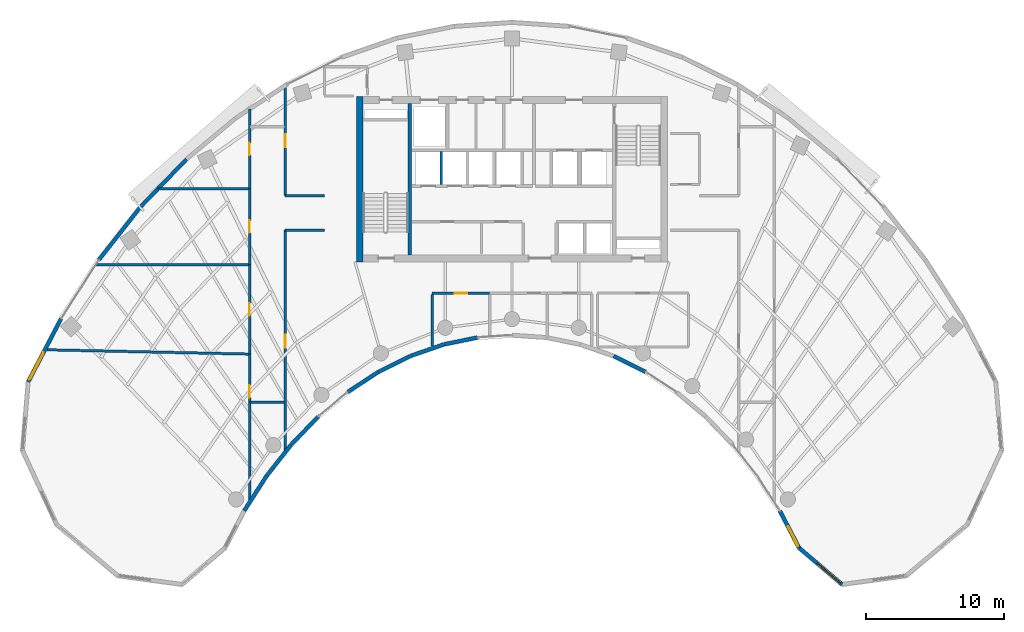
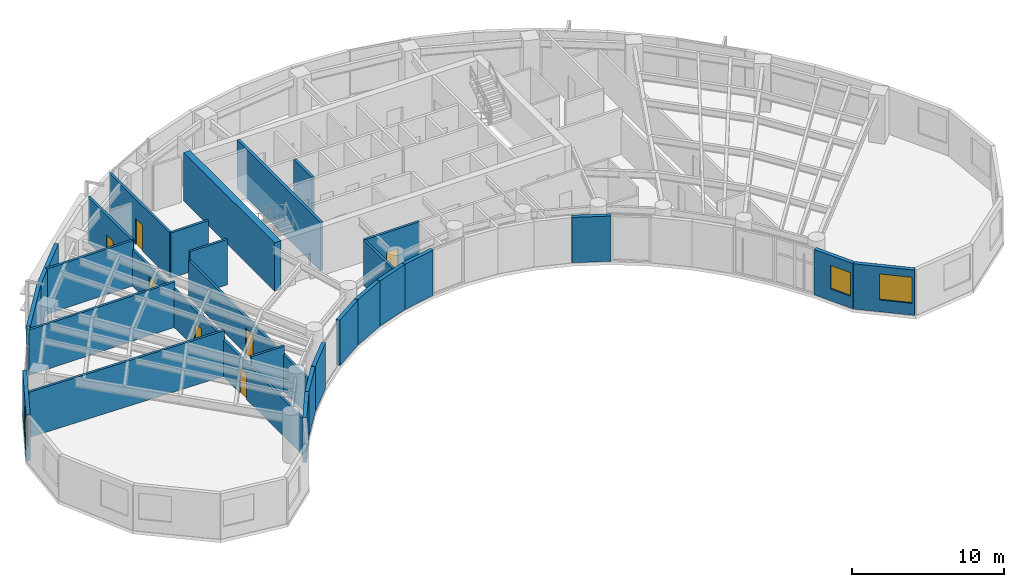
# One storey, part 7 of 13: 30 walls, 7 doors, 3 windows, 10 openings.
"""IFC4 building model written with IfcOpenShell, lengths in metres."""

from ifc_helpers import new_model, si_unit, direction, frame, frame_2d, origin, place, context, subcontext, project, spatial, rectangle, extrude, source, transform, mapped, material, layer, layer_set, type_object, type_shapes, element, fill, save


model = new_model("IFC4")

# Units and contexts
model_context = context("Model", 3, precision=1e-05, world=origin(), true_north=direction((0.0, 1.0)))
body_context = subcontext(model_context, "Body", "Model", "MODEL_VIEW")
ifc_project = project(units=[si_unit("LENGTHUNIT", "METRE"), si_unit("AREAUNIT", "SQUARE_METRE"), si_unit("VOLUMEUNIT", "CUBIC_METRE"), si_unit("PLANEANGLEUNIT", "RADIAN"), si_unit("MASSUNIT", "GRAM", prefix="KILO")], contexts=[model_context])

# Site, building, storey
site_placement = place(None, origin())
site = spatial("IfcSite", under=ifc_project, at=site_placement, CompositionType="ELEMENT")
building_placement = place(site_placement, origin())
building = spatial("IfcBuilding", under=site, at=building_placement, Name="Breltana Convention Tower", CompositionType="ELEMENT")
storey_placement = place(building_placement, frame((0.0, 0.0, 174.0)))
storey = spatial("IfcBuildingStorey", under=building, at=storey_placement, Name="L42", CompositionType="ELEMENT", Elevation=174.0)

# Walls
ifc_material_1 = material(Name="Concrete C60/75", Category="concrete")
ifc_layer_1 = layer(ifc_material_1, 0.5, Name="Concrete C60/75")
ifc_layer_set_1 = layer_set([ifc_layer_1], Name="Concrete C60/75")
wall_type_1 = type_object("IfcWallType", Name="SW-CORE-500", PredefinedType="SHEAR", material=ifc_layer_set_1)
shared_shape_1 = source(origin(), body_context, "Body", "SweptSolid", [
    extrude(rectangle(XDim=12.0, YDim=0.5, at=frame_2d((6.0, 0.0))), origin(), (0.0, 0.0, 1.0), 3.89990234375),
])
wall_1_placement = place(storey_placement, frame((36.949951171875, 60.199951171875, 0.0), z_axis=(0.0, 0.0, 1.0), x_axis=(0.0, 1.0, 0.0)))
element("IfcWall", 1, at=wall_1_placement, inside=storey, type_object=wall_type_1, Name="L42 West Core Shear Wall", PredefinedType="SHEAR", context=body_context, shape_type="MappedRepresentation", body=[
    mapped(shared_shape_1, transform((0.0, 0.0, 0.0), scale=1.0)),
])
ifc_material_2 = material(Name="Concrete C50/60", Category="concrete")
ifc_layer_2 = layer(ifc_material_2, 0.39990234375, Name="Concrete C50/60")
ifc_layer_set_2 = layer_set([ifc_layer_2], Name="Concrete C50/60")
wall_type_2 = type_object("IfcWallType", Name="SW-CORE-400", PredefinedType="SHEAR", material=ifc_layer_set_2)
shared_shape_2 = source(origin(), body_context, "Body", "SweptSolid", [
    extrude(rectangle(XDim=11.0, YDim=0.219970703125, at=frame_2d((5.5, 0.0))), origin(), (0.0, 0.0, 1.0), 3.89990234375),
])
wall_2_placement = place(storey_placement, frame((40.580078125, 60.699951171875, 0.0), z_axis=(0.0, 0.0, 1.0), x_axis=(0.0, 1.0, 0.0)))
element("IfcWall", 2, at=wall_2_placement, inside=storey, type_object=wall_type_2, Name="L42 Core West Stair Spine Wall", PredefinedType="SHEAR", context=body_context, shape_type="MappedRepresentation", body=[
    mapped(shared_shape_2, transform((0.0, 0.0, 0.0), scale=1.0)),
])

# Wall, opening, window
ifc_material_3 = material(Name="Limestone Buff Insulated Wall", Category="masonry")
ifc_layer_3 = layer(ifc_material_3, 0.280029296875, Name="Limestone Buff Insulated Wall")
ifc_layer_set_3 = layer_set([ifc_layer_3], Name="Limestone Buff Insulated Wall")
wall_type_3 = type_object("IfcWallType", Name="WL-EXT-NOSE-280", PredefinedType="SOLIDWALL", material=ifc_layer_set_3)
shared_shape_3 = source(origin(), body_context, "Body", "SweptSolid", [
    extrude(rectangle(XDim=4.095947265625, YDim=0.280029296875, at=frame_2d((2.0478515625, 0.0))), origin(), (0.0, 0.0, 1.0), 3.64990234375),
])
wall_3_placement = place(storey_placement, frame((71.95654296875, 36.78759765625, 0.0), z_axis=(0.0, 0.0, 1.0), x_axis=(-0.761926081737, 0.647663991564, 0.0)))
wall_3 = element("IfcWall", 3, at=wall_3_placement, inside=storey, type_object=wall_type_3, Name="L42 curved limestone nose wall E5", PredefinedType="SOLIDWALL", context=body_context, shape_type="MappedRepresentation", body=[
    mapped(shared_shape_3, transform((0.0, 0.0, 0.0), scale=1.0)),
])
opening_1_placement = place(wall_3_placement, frame((0.159912109375, 0.0, 0.949951171875)))
opening_1 = element("IfcOpeningElement", 4, at=opening_1_placement, cuts=wall_3, Name="Opening W-03", PredefinedType="OPENING", context=body_context, shape_type="SweptSolid", body=[
    extrude(rectangle(XDim=2.199951171875, YDim=2.10009765625, at=frame_2d((1.10009765625, 1.050048828125))), frame((0.0, 0.14990234375, 0.0), z_axis=(0.0, -1.0, 0.0), x_axis=(1.0, 0.0, 0.0)), (0.0, 0.0, 1.0), 0.300048828125),
])
ifc_material_4 = material(Name="Glass Low-E Insulated Window", Category="glass")
window_type_1 = type_object("IfcWindowType", Name="WN-NOSE-2200X2100", PartitioningType="TRIPLE_PANEL_VERTICAL", PredefinedType="WINDOW", material=ifc_material_4)
shared_shape_4 = source(origin(), body_context, "Body", "SweptSolid", [
    extrude(rectangle(XDim=2.199951171875, YDim=2.10009765625, at=frame_2d((1.10009765625, 1.050048828125))), frame((0.0, 0.030029296875, 0.0), z_axis=(0.0, -1.0, 0.0), x_axis=(1.0, 0.0, 0.0)), (0.0, 0.0, 1.0), 0.06005859375),
])
type_shapes(window_type_1, [shared_shape_4])
window_1_placement = place(opening_1_placement, origin())
window_1 = element("IfcWindow", 5, at=window_1_placement, inside=storey, type_object=window_type_1, Name="L42 nose window E5", OverallHeight=2.10009765625, OverallWidth=2.199951171875, PartitioningType="TRIPLE_PANEL_VERTICAL", PredefinedType="WINDOW", context=body_context, shape_type="MappedRepresentation", body=[
    mapped(shared_shape_4, transform((0.0, 0.0, 0.0), scale=1.0)),
])
fill(opening_1, window_1)

shared_shape_5 = source(origin(), body_context, "Body", "SweptSolid", [
    extrude(rectangle(XDim=3.02392578125, YDim=0.280029296875, at=frame_2d((1.511962890625, 0.0))), origin(), (0.0, 0.0, 1.0), 3.64990234375),
])
wall_4_placement = place(storey_placement, frame((68.835693359375, 39.4404296875, 0.0), z_axis=(0.0, 0.0, 1.0), x_axis=(-0.461718746531, 0.887026380161, 0.0)))
wall_4 = element("IfcWall", 6, at=wall_4_placement, inside=storey, type_object=wall_type_3, Name="L42 curved limestone nose wall E6", PredefinedType="SOLIDWALL", context=body_context, shape_type="MappedRepresentation", body=[
    mapped(shared_shape_5, transform((0.0, 0.0, 0.0), scale=1.0)),
])
opening_2_placement = place(wall_4_placement, frame((0.159912109375, 0.0, 0.949951171875)))
opening_2 = element("IfcOpeningElement", 7, at=opening_2_placement, cuts=wall_4, Name="Opening W-04", PredefinedType="OPENING", context=body_context, shape_type="SweptSolid", body=[
    extrude(rectangle(XDim=1.60009765625, YDim=1.89990234375, at=frame_2d((0.800048828125, 0.949951171875))), frame((0.0, 0.14990234375, 0.0), z_axis=(0.0, -1.0, 0.0), x_axis=(1.0, 0.0, 0.0)), (0.0, 0.0, 1.0), 0.300048828125),
])
window_type_2 = type_object("IfcWindowType", Name="WN-NOSE-1600X1900", PartitioningType="SINGLE_PANEL", PredefinedType="WINDOW", material=ifc_material_4)
shared_shape_6 = source(origin(), body_context, "Body", "SweptSolid", [
    extrude(rectangle(XDim=1.60009765625, YDim=1.89990234375, at=frame_2d((0.800048828125, 0.949951171875))), frame((0.0, 0.030029296875, 0.0), z_axis=(0.0, -1.0, 0.0), x_axis=(1.0, 0.0, 0.0)), (0.0, 0.0, 1.0), 0.06005859375),
])
type_shapes(window_type_2, [shared_shape_6])
window_2_placement = place(opening_2_placement, origin())
window_2 = element("IfcWindow", 8, at=window_2_placement, inside=storey, type_object=window_type_2, Name="L42 nose window E6", OverallHeight=1.89990234375, OverallWidth=1.60009765625, PartitioningType="SINGLE_PANEL", PredefinedType="WINDOW", context=body_context, shape_type="MappedRepresentation", body=[
    mapped(shared_shape_6, transform((0.0, 0.0, 0.0), scale=1.0)),
])
fill(opening_2, window_2)

# Walls
shared_shape_7 = source(origin(), body_context, "Body", "SweptSolid", [
    extrude(rectangle(XDim=2.812255859375, YDim=0.280029296875, at=frame_2d((1.40625, 0.0))), origin(), (0.0, 0.0, 1.0), 3.64990234375),
])
wall_5_placement = place(storey_placement, frame((33.945068359375, 48.973388671875, 0.0), z_axis=(0.0, 0.0, 1.0), x_axis=(-0.694583668785, -0.719411931411, 0.0)))
element("IfcWall", 9, at=wall_5_placement, inside=storey, type_object=wall_type_3, Name="L42 curved limestone nose wall E17", PredefinedType="SOLIDWALL", context=body_context, shape_type="MappedRepresentation", body=[
    mapped(shared_shape_7, transform((0.0, 0.0, 0.0), scale=1.0)),
])
shared_shape_8 = source(origin(), body_context, "Body", "SweptSolid", [
    extrude(rectangle(XDim=2.58447265625, YDim=0.280029296875, at=frame_2d((1.292236328125, 0.0))), origin(), (0.0, 0.0, 1.0), 3.64990234375),
])
for number, where, z_axis, x_axis, name in (
    (10, (57.692138671875, 52.21337890625, 0.0), (0.0, 0.0, 1.0), (-0.895989792847, 0.44407464588, 0.0), "L42 curved limestone nose wall E9"),
    (11, (40.62353515625, 53.361083984375, 0.0), (0.0, 0.0, 1.0), (-0.895989792847, -0.44407464588, 0.0), "L42 curved limestone nose wall E15"),
):
    element("IfcWall", number, at=place(storey_placement, frame(where, z_axis=z_axis, x_axis=x_axis)), inside=storey, type_object=wall_type_3, Name=name, PredefinedType="SOLIDWALL", context=body_context, shape_type="MappedRepresentation", body=[
        mapped(shared_shape_8, transform((0.0, 0.0, 0.0), scale=1.0)),
    ])
shared_shape_9 = source(origin(), body_context, "Body", "SweptSolid", [
    extrude(rectangle(XDim=2.52978515625, YDim=0.280029296875, at=frame_2d((1.264892578125, 0.0))), origin(), (0.0, 0.0, 1.0), 3.64990234375),
])
wall_6_placement = place(storey_placement, frame((43.034912109375, 54.1982421875, 0.0), z_axis=(0.0, 0.0, 1.0), x_axis=(-0.944872429646, -0.327438683872, 0.0)))
element("IfcWall", 12, at=wall_6_placement, inside=storey, type_object=wall_type_3, Name="L42 curved limestone nose wall E14", PredefinedType="SOLIDWALL", context=body_context, shape_type="MappedRepresentation", body=[
    mapped(shared_shape_9, transform((0.0, 0.0, 0.0), scale=1.0)),
])
shared_shape_10 = source(origin(), body_context, "Body", "SweptSolid", [
    extrude(rectangle(XDim=2.4912109375, YDim=0.280029296875, at=frame_2d((1.24560546875, 0.0))), origin(), (0.0, 0.0, 1.0), 3.64990234375),
])
wall_7_placement = place(storey_placement, frame((45.498046875, 54.704833984375, 0.0), z_axis=(0.0, 0.0, 1.0), x_axis=(-0.979630885979, -0.200806691214, 0.0)))
element("IfcWall", 13, at=wall_7_placement, inside=storey, type_object=wall_type_3, Name="L42 curved limestone nose wall E13", PredefinedType="SOLIDWALL", context=body_context, shape_type="MappedRepresentation", body=[
    mapped(shared_shape_10, transform((0.0, 0.0, 0.0), scale=1.0)),
])
shared_shape_11 = source(origin(), body_context, "Body", "SweptSolid", [
    extrude(rectangle(XDim=2.65234375, YDim=0.280029296875, at=frame_2d((1.326171875, 0.0))), origin(), (0.0, 0.0, 1.0), 3.64990234375),
])
wall_8_placement = place(storey_placement, frame((38.2890625, 52.202392578125, 0.0), z_axis=(0.0, 0.0, 1.0), x_axis=(-0.836008323535, -0.54871676025, 0.0)))
element("IfcWall", 14, at=wall_8_placement, inside=storey, type_object=wall_type_3, Name="L42 curved limestone nose wall E16", PredefinedType="SOLIDWALL", context=body_context, shape_type="MappedRepresentation", body=[
    mapped(shared_shape_11, transform((0.0, 0.0, 0.0), scale=1.0)),
])
shared_shape_12 = source(origin(), body_context, "Body", "SweptSolid", [
    extrude(rectangle(XDim=2.89697265625, YDim=0.280029296875, at=frame_2d((1.448486328125, 0.0))), origin(), (0.0, 0.0, 1.0), 3.64990234375),
])
wall_9_placement = place(storey_placement, frame((31.9794921875, 46.936279296875, 0.0), z_axis=(0.0, 0.0, 1.0), x_axis=(-0.618167636915, -0.786046291685, 0.0)))
element("IfcWall", 15, at=wall_9_placement, inside=storey, type_object=wall_type_3, Name="L42 curved limestone nose wall E18", PredefinedType="SOLIDWALL", context=body_context, shape_type="MappedRepresentation", body=[
    mapped(shared_shape_12, transform((0.0, 0.0, 0.0), scale=1.0)),
])
shared_shape_13 = source(origin(), body_context, "Body", "SweptSolid", [
    extrude(rectangle(XDim=2.980712890625, YDim=0.280029296875, at=frame_2d((1.490234375, 0.0))), origin(), (0.0, 0.0, 1.0), 3.64990234375),
])
wall_10_placement = place(storey_placement, frame((30.1787109375, 44.64501953125, 0.0), z_axis=(0.0, 0.0, 1.0), x_axis=(-0.540194451908, -0.841540227278, 0.0)))
element("IfcWall", 16, at=wall_10_placement, inside=storey, type_object=wall_type_3, Name="L42 curved limestone nose wall E19", PredefinedType="SOLIDWALL", context=body_context, shape_type="MappedRepresentation", body=[
    mapped(shared_shape_13, transform((0.0, 0.0, 0.0), scale=1.0)),
])

# Wall, opening, window
shared_shape_14 = source(origin(), body_context, "Body", "SweptSolid", [
    extrude(rectangle(XDim=5.1708984375, YDim=0.280029296875, at=frame_2d((2.58544921875, 0.0))), origin(), (0.0, 0.0, 1.0), 3.64990234375),
])
wall_11_placement = place(storey_placement, frame((12.897705078125, 51.48876953125, 0.0), z_axis=(0.0, 0.0, 1.0), x_axis=(0.461752581363, 0.887008767491, 0.0)))
wall_11 = element("IfcWall", 17, at=wall_11_placement, inside=storey, type_object=wall_type_3, Name="L42 curved limestone nose wall W7", PredefinedType="SOLIDWALL", context=body_context, shape_type="MappedRepresentation", body=[
    mapped(shared_shape_14, transform((0.0, 0.0, 0.0), scale=1.0)),
])
opening_3_placement = place(wall_11_placement, frame((0.19287109375, 0.0, 0.949951171875)))
opening_3 = element("IfcOpeningElement", 18, at=opening_3_placement, cuts=wall_11, Name="Opening W-03", PredefinedType="OPENING", context=body_context, shape_type="SweptSolid", body=[
    extrude(rectangle(XDim=2.199951171875, YDim=2.10009765625, at=frame_2d((1.10009765625, 1.050048828125))), frame((0.0, 0.14990234375, 0.0), z_axis=(0.0, -1.0, 0.0), x_axis=(1.0, 0.0, 0.0)), (0.0, 0.0, 1.0), 0.300048828125),
])
window_3_placement = place(opening_3_placement, origin())
window_3 = element("IfcWindow", 19, at=window_3_placement, inside=storey, type_object=window_type_1, Name="L42 nose window W7", OverallHeight=2.10009765625, OverallWidth=2.199951171875, PartitioningType="TRIPLE_PANEL_VERTICAL", PredefinedType="WINDOW", context=body_context, shape_type="MappedRepresentation", body=[
    mapped(shared_shape_4, transform((0.0, 0.0, 0.0), scale=1.0)),
])
fill(opening_3, window_3)

# Walls
shared_shape_15 = source(origin(), body_context, "Body", "SweptSolid", [
    extrude(rectangle(XDim=4.921630859375, YDim=0.280029296875, at=frame_2d((2.4609375, 0.0))), origin(), (0.0, 0.0, 1.0), 3.64990234375),
])
wall_12_placement = place(storey_placement, frame((18.021240234375, 60.337646484375, 0.0), z_axis=(0.0, 0.0, 1.0), x_axis=(0.61817639101, 0.786039407153, 0.0)))
element("IfcWall", 20, at=wall_12_placement, inside=storey, type_object=wall_type_3, Name="L42 curved limestone nose wall E20", PredefinedType="SOLIDWALL", context=body_context, shape_type="MappedRepresentation", body=[
    mapped(shared_shape_15, transform((0.0, 0.0, 0.0), scale=1.0)),
])
shared_shape_16 = source(origin(), body_context, "Body", "SweptSolid", [
    extrude(rectangle(XDim=4.77587890625, YDim=0.280029296875, at=frame_2d((2.387939453125, 0.0))), origin(), (0.0, 0.0, 1.0), 3.64990234375),
])
wall_13_placement = place(storey_placement, frame((21.063720703125, 64.206298828125, 0.0), z_axis=(0.0, 0.0, 1.0), x_axis=(0.694601811851, 0.719394414055, 0.0)))
element("IfcWall", 21, at=wall_13_placement, inside=storey, type_object=wall_type_3, Name="L42 curved limestone nose wall E21", PredefinedType="SOLIDWALL", context=body_context, shape_type="MappedRepresentation", body=[
    mapped(shared_shape_16, transform((0.0, 0.0, 0.0), scale=1.0)),
])
ifc_material_5 = material(Name="Autoclaved Aerated Concrete Block", Category="concrete")
ifc_layer_4 = layer(ifc_material_5, 0.199951171875, Name="Autoclaved Aerated Concrete Block")
ifc_layer_set_4 = layer_set([ifc_layer_4], Name="Autoclaved Aerated Concrete Block")
wall_type_4 = type_object("IfcWallType", Name="WL-SHAFT-200", PredefinedType="SOLIDWALL", material=ifc_layer_set_4)
shared_shape_17 = source(origin(), body_context, "Body", "SweptSolid", [
    extrude(rectangle(XDim=2.39990234375, YDim=0.199951171875, at=frame_2d((1.199951171875, 0.0))), origin(), (0.0, 0.0, 1.0), 3.64990234375),
])
wall_14_placement = place(storey_placement, frame((42.8701171875, 65.800048828125, 0.0), z_axis=(0.0, 0.0, 1.0), x_axis=(0.0, 1.0, 0.0)))
element("IfcWall", 22, at=wall_14_placement, inside=storey, type_object=wall_type_4, Name="L42 interior partition W-L42-SH-M-DIV1", PredefinedType="SOLIDWALL", context=body_context, shape_type="MappedRepresentation", body=[
    mapped(shared_shape_17, transform((0.0, 0.0, 0.0), scale=1.0)),
])

# Wall, opening, door
ifc_material_6 = material(Name="Moisture-Resistant Gypsum Chase Wall")
ifc_layer_5 = layer(ifc_material_6, 0.179931640625, Name="Moisture-Resistant Gypsum Chase Wall")
ifc_layer_set_5 = layer_set([ifc_layer_5], Name="Moisture-Resistant Gypsum Chase Wall")
wall_type_5 = type_object("IfcWallType", Name="WL-PLUMB-180", PredefinedType="PLUMBINGWALL", material=ifc_layer_set_5)
shared_shape_18 = source(origin(), body_context, "Body", "SweptSolid", [
    extrude(rectangle(XDim=4.176025390625, YDim=0.179931640625, at=frame_2d((2.087890625, 0.0))), origin(), (0.0, 0.0, 1.0), 3.64990234375),
])
wall_15_placement = place(storey_placement, frame((42.199951171875, 57.919921875, 0.0), z_axis=(0.0, 0.0, 1.0), x_axis=(1.0, 0.0, 0.0)))
wall_15 = element("IfcWall", 23, at=wall_15_placement, inside=storey, type_object=wall_type_5, Name="L42 interior partition W-L42-WCM-N", PredefinedType="PLUMBINGWALL", context=body_context, shape_type="MappedRepresentation", body=[
    mapped(shared_shape_18, transform((0.0, 0.0, 0.0), scale=1.0)),
])
opening_4_placement = place(wall_15_placement, frame((1.637939453125, 0.0, 0.0)))
opening_4 = element("IfcOpeningElement", 24, at=opening_4_placement, cuts=wall_15, Name="Opening D-19", PredefinedType="OPENING", context=body_context, shape_type="SweptSolid", body=[
    extrude(rectangle(XDim=0.89990234375, YDim=2.080078125, at=frame_2d((0.449951171875, 1.0400390625))), frame((0.0, 0.10009765625, 0.0), z_axis=(0.0, -1.0, 0.0), x_axis=(1.0, 0.0, 0.0)), (0.0, 0.0, 1.0), 0.199951171875),
])
ifc_material_7 = material(Name="Timber Moisture-Resistant Door", Category="wood")
door_type_1 = type_object("IfcDoorType", Name="DR-WC-900", OperationType="NOTDEFINED", PredefinedType="DOOR", material=ifc_material_7)
shared_shape_19 = source(origin(), body_context, "Body", "SweptSolid", [
    extrude(rectangle(XDim=0.89990234375, YDim=2.080078125, at=frame_2d((0.449951171875, 1.0400390625))), frame((0.0, 0.02490234375, 0.0), z_axis=(0.0, -1.0, 0.0), x_axis=(1.0, 0.0, 0.0)), (0.0, 0.0, 1.0), 0.050048828125),
])
type_shapes(door_type_1, [shared_shape_19])
door_1_placement = place(opening_4_placement, origin())
door_1 = element("IfcDoor", 25, at=door_1_placement, inside=storey, type_object=door_type_1, Name="L42 interior door D-L42-WCM", OperationType="SINGLE_SWING_LEFT", OverallHeight=2.080078125, OverallWidth=0.89990234375, PredefinedType="DOOR", context=body_context, shape_type="MappedRepresentation", body=[
    mapped(shared_shape_19, transform((0.0, 0.0, 0.0), scale=1.0)),
])
fill(opening_4, door_1)

# Wall
ifc_material_8 = material(Name="Cement Board Wet-Area Partition")
ifc_layer_6 = layer(ifc_material_8, 0.175048828125, Name="Cement Board Wet-Area Partition")
ifc_layer_set_6 = layer_set([ifc_layer_6], Name="Cement Board Wet-Area Partition")
wall_type_6 = type_object("IfcWallType", Name="WL-WET-175", PredefinedType="PARTITIONING", material=ifc_layer_set_6)
shared_shape_20 = source(origin(), body_context, "Body", "SweptSolid", [
    extrude(rectangle(XDim=3.7626953125, YDim=0.175048828125, at=frame_2d((1.88134765625, 0.0))), origin(), (0.0, 0.0, 1.0), 3.64990234375),
])
wall_16_placement = place(storey_placement, frame((42.199951171875, 54.07861328125, 0.0), z_axis=(0.0, 0.0, 1.0), x_axis=(0.0, 1.0, 0.0)))
element("IfcWall", 26, at=wall_16_placement, inside=storey, type_object=wall_type_6, Name="L42 interior partition W-L42-WCM-W", PredefinedType="PARTITIONING", context=body_context, shape_type="MappedRepresentation", body=[
    mapped(shared_shape_20, transform((0.0, 0.0, 0.0), scale=1.0)),
])

# Wall, opening, door
shared_shape_21 = source(origin(), body_context, "Body", "SweptSolid", [
    extrude(rectangle(XDim=6.5, YDim=0.179931640625, at=frame_2d((3.25, 0.0))), origin(), (0.0, 0.0, 1.0), 3.0810546875),
])
wall_17_placement = place(storey_placement, frame((28.9599609375, 53.5, 0.0), z_axis=(0.0, 0.0, 1.0), x_axis=(0.0, 1.0, 0.0)))
wall_17 = element("IfcWall", 27, at=wall_17_placement, inside=storey, type_object=wall_type_5, Name="L42 interior partition W-L42-ZW2-E", PredefinedType="PLUMBINGWALL", context=body_context, shape_type="MappedRepresentation", body=[
    mapped(shared_shape_21, transform((0.0, 0.0, 0.0), scale=1.0)),
])
opening_5_placement = place(wall_17_placement, frame((2.800048828125, 0.0, 0.0)))
opening_5 = element("IfcOpeningElement", 28, at=opening_5_placement, cuts=wall_17, Name="Opening D-19", PredefinedType="OPENING", context=body_context, shape_type="SweptSolid", body=[
    extrude(rectangle(XDim=0.89990234375, YDim=2.080078125, at=frame_2d((0.449951171875, 1.0400390625))), frame((0.0, 0.10009765625, 0.0), z_axis=(0.0, -1.0, 0.0), x_axis=(1.0, 0.0, 0.0)), (0.0, 0.0, 1.0), 0.199951171875),
])
door_2_placement = place(opening_5_placement, origin())
door_2 = element("IfcDoor", 29, at=door_2_placement, inside=storey, type_object=door_type_1, Name="L42 interior door D-L42-ZW2", OperationType="SINGLE_SWING_RIGHT", OverallHeight=2.080078125, OverallWidth=0.89990234375, PredefinedType="DOOR", context=body_context, shape_type="MappedRepresentation", body=[
    mapped(shared_shape_19, transform((0.0, 0.0, 0.0), scale=1.0)),
])
fill(opening_5, door_2)

# Wall
shared_shape_22 = source(origin(), body_context, "Body", "SweptSolid", [
    extrude(rectangle(XDim=2.5, YDim=0.179931640625, at=frame_2d((1.25, 0.0))), origin(), (0.0, 0.0, 1.0), 3.64990234375),
])
wall_18_placement = place(storey_placement, frame((29.0, 50.0, 0.0), z_axis=(0.0, 0.0, 1.0), x_axis=(1.0, 0.0, 0.0)))
element("IfcWall", 30, at=wall_18_placement, inside=storey, type_object=wall_type_5, Name="L42 interior partition W-L42-CORNW-S", PredefinedType="PLUMBINGWALL", context=body_context, shape_type="MappedRepresentation", body=[
    mapped(shared_shape_22, transform((0.0, 0.0, 0.0), scale=1.0)),
])

# Wall, opening, door
shared_shape_23 = source(origin(), body_context, "Body", "SweptSolid", [
    extrude(rectangle(XDim=10.735107421875, YDim=0.179931640625, at=frame_2d((5.36767578125, 0.0))), origin(), (0.0, 0.0, 1.0), 2.94189453125),
])
wall_19_placement = place(storey_placement, frame((28.9599609375, 42.764892578125, 0.0), z_axis=(0.0, 0.0, 1.0), x_axis=(0.0, 1.0, 0.0)))
wall_19 = element("IfcWall", 31, at=wall_19_placement, inside=storey, type_object=wall_type_5, Name="L42 interior partition W-L42-ZW1-E", PredefinedType="PLUMBINGWALL", context=body_context, shape_type="MappedRepresentation", body=[
    mapped(shared_shape_23, transform((0.0, 0.0, 0.0), scale=1.0)),
])
opening_6_placement = place(wall_19_placement, frame((7.585205078125, 0.0, 0.0)))
opening_6 = element("IfcOpeningElement", 32, at=opening_6_placement, cuts=wall_19, Name="Opening D-19", PredefinedType="OPENING", context=body_context, shape_type="SweptSolid", body=[
    extrude(rectangle(XDim=0.89990234375, YDim=2.080078125, at=frame_2d((0.449951171875, 1.0400390625))), frame((0.0, 0.10009765625, 0.0), z_axis=(0.0, -1.0, 0.0), x_axis=(1.0, 0.0, 0.0)), (0.0, 0.0, 1.0), 0.199951171875),
])
door_3_placement = place(opening_6_placement, origin())
door_3 = element("IfcDoor", 33, at=door_3_placement, inside=storey, type_object=door_type_1, Name="L42 interior door D-L42-ZW1", OperationType="SINGLE_SWING_LEFT", OverallHeight=2.080078125, OverallWidth=0.89990234375, PredefinedType="DOOR", context=body_context, shape_type="MappedRepresentation", body=[
    mapped(shared_shape_19, transform((0.0, 0.0, 0.0), scale=1.0)),
])
fill(opening_6, door_3)

# Walls
shared_shape_24 = source(origin(), body_context, "Body", "SweptSolid", [
    extrude(rectangle(XDim=14.720458984375, YDim=0.179931640625, at=frame_2d((7.3603515625, 0.0))), origin(), (0.0, 0.0, 1.0), 3.64990234375),
])
wall_20_placement = place(storey_placement, frame((14.242919921875, 53.81298828125, 0.0), z_axis=(0.0, 0.0, 1.0), x_axis=(0.999773932637, -0.021262258118, 0.0)))
element("IfcWall", 34, at=wall_20_placement, inside=storey, type_object=wall_type_5, Name="L42 interior partition W-L42-ZW1-N", PredefinedType="PLUMBINGWALL", context=body_context, shape_type="MappedRepresentation", body=[
    mapped(shared_shape_24, transform((0.0, 0.0, 0.0), scale=1.0)),
])
shared_shape_25 = source(origin(), body_context, "Body", "SweptSolid", [
    extrude(rectangle(XDim=11.1435546875, YDim=0.179931640625, at=frame_2d((5.57177734375, 0.0))), origin(), (0.0, 0.0, 1.0), 3.64990234375),
])
wall_21_placement = place(storey_placement, frame((17.81640625, 60.0, 0.0), z_axis=(0.0, 0.0, 1.0), x_axis=(1.0, 0.0, 0.0)))
element("IfcWall", 35, at=wall_21_placement, inside=storey, type_object=wall_type_5, Name="L42 interior partition W-L42-ZW2-N", PredefinedType="PLUMBINGWALL", context=body_context, shape_type="MappedRepresentation", body=[
    mapped(shared_shape_25, transform((0.0, 0.0, 0.0), scale=1.0)),
])

# Wall, opening, door
shared_shape_26 = source(origin(), body_context, "Body", "SweptSolid", [
    extrude(rectangle(XDim=5.5, YDim=0.179931640625, at=frame_2d((2.75, 0.0))), origin(), (0.0, 0.0, 1.0), 2.94189453125),
])
wall_22_placement = place(storey_placement, frame((28.9599609375, 60.0, 0.0), z_axis=(0.0, 0.0, 1.0), x_axis=(0.0, 1.0, 0.0)))
wall_22 = element("IfcWall", 36, at=wall_22_placement, inside=storey, type_object=wall_type_5, Name="L42 interior partition W-L42-ZW3-E", PredefinedType="PLUMBINGWALL", context=body_context, shape_type="MappedRepresentation", body=[
    mapped(shared_shape_26, transform((0.0, 0.0, 0.0), scale=1.0)),
])
opening_7_placement = place(wall_22_placement, frame((2.300048828125, 0.0, 0.0)))
opening_7 = element("IfcOpeningElement", 37, at=opening_7_placement, cuts=wall_22, Name="Opening D-19", PredefinedType="OPENING", context=body_context, shape_type="SweptSolid", body=[
    extrude(rectangle(XDim=0.89990234375, YDim=2.080078125, at=frame_2d((0.449951171875, 1.0400390625))), frame((0.0, 0.10009765625, 0.0), z_axis=(0.0, -1.0, 0.0), x_axis=(1.0, 0.0, 0.0)), (0.0, 0.0, 1.0), 0.199951171875),
])
door_4_placement = place(opening_7_placement, origin())
door_4 = element("IfcDoor", 38, at=door_4_placement, inside=storey, type_object=door_type_1, Name="L42 interior door D-L42-ZW3", OperationType="SINGLE_SWING_LEFT", OverallHeight=2.080078125, OverallWidth=0.89990234375, PredefinedType="DOOR", context=body_context, shape_type="MappedRepresentation", body=[
    mapped(shared_shape_19, transform((0.0, 0.0, 0.0), scale=1.0)),
])
fill(opening_7, door_4)

# Wall
shared_shape_27 = source(origin(), body_context, "Body", "SweptSolid", [
    extrude(rectangle(XDim=6.63330078125, YDim=0.179931640625, at=frame_2d((3.316650390625, 0.0))), origin(), (0.0, 0.0, 1.0), 3.64990234375),
])
wall_23_placement = place(storey_placement, frame((22.32666015625, 65.5, 0.0), z_axis=(0.0, 0.0, 1.0), x_axis=(1.0, 0.0, 0.0)))
element("IfcWall", 39, at=wall_23_placement, inside=storey, type_object=wall_type_5, Name="L42 interior partition W-L42-ZW3-N", PredefinedType="PLUMBINGWALL", context=body_context, shape_type="MappedRepresentation", body=[
    mapped(shared_shape_27, transform((0.0, 0.0, 0.0), scale=1.0)),
])

# Wall, opening, door
shared_shape_28 = source(origin(), body_context, "Body", "SweptSolid", [
    extrude(rectangle(XDim=5.76806640625, YDim=0.179931640625, at=frame_2d((2.884033203125, 0.0))), origin(), (0.0, 0.0, 1.0), 3.64990234375),
])
wall_24_placement = place(storey_placement, frame((28.9599609375, 65.5, 0.0), z_axis=(0.0, 0.0, 1.0), x_axis=(0.0, 1.0, 0.0)))
wall_24 = element("IfcWall", 40, at=wall_24_placement, inside=storey, type_object=wall_type_5, Name="L42 interior partition W-L42-ZW4-E", PredefinedType="PLUMBINGWALL", context=body_context, shape_type="MappedRepresentation", body=[
    mapped(shared_shape_28, transform((0.0, 0.0, 0.0), scale=1.0)),
])
opening_8_placement = place(wall_24_placement, frame((2.43408203125, 0.0, 0.0)))
opening_8 = element("IfcOpeningElement", 41, at=opening_8_placement, cuts=wall_24, Name="Opening D-19", PredefinedType="OPENING", context=body_context, shape_type="SweptSolid", body=[
    extrude(rectangle(XDim=0.89990234375, YDim=2.080078125, at=frame_2d((0.449951171875, 1.0400390625))), frame((0.0, 0.10009765625, 0.0), z_axis=(0.0, -1.0, 0.0), x_axis=(1.0, 0.0, 0.0)), (0.0, 0.0, 1.0), 0.199951171875),
])
door_5_placement = place(opening_8_placement, origin())
door_5 = element("IfcDoor", 42, at=door_5_placement, inside=storey, type_object=door_type_1, Name="L42 interior door D-L42-ZW4", OperationType="SINGLE_SWING_RIGHT", OverallHeight=2.080078125, OverallWidth=0.89990234375, PredefinedType="DOOR", context=body_context, shape_type="MappedRepresentation", body=[
    mapped(shared_shape_19, transform((0.0, 0.0, 0.0), scale=1.0)),
])
fill(opening_8, door_5)

shared_shape_29 = source(origin(), body_context, "Body", "SweptSolid", [
    extrude(rectangle(XDim=16.1064453125, YDim=0.179931640625, at=frame_2d((8.05322265625, 0.0))), origin(), (0.0, 0.0, 1.0), 2.94189453125),
])
wall_25_placement = place(storey_placement, frame((31.5400390625, 46.3935546875, 0.0), z_axis=(0.0, 0.0, 1.0), x_axis=(0.0, 1.0, 0.0)))
wall_25 = element("IfcWall", 43, at=wall_25_placement, inside=storey, type_object=wall_type_5, Name="L42 interior partition W-L42-ZMW1-D", PredefinedType="PLUMBINGWALL", context=body_context, shape_type="MappedRepresentation", body=[
    mapped(shared_shape_29, transform((0.0, 0.0, 0.0), scale=1.0)),
])
opening_9_placement = place(wall_25_placement, frame((7.578125, 0.0, 0.0)))
opening_9 = element("IfcOpeningElement", 44, at=opening_9_placement, cuts=wall_25, Name="Opening D-17", PredefinedType="OPENING", context=body_context, shape_type="SweptSolid", body=[
    extrude(rectangle(XDim=0.949951171875, YDim=2.10009765625, at=frame_2d((0.47509765625, 1.050048828125))), frame((0.0, 0.10009765625, 0.0), z_axis=(0.0, -1.0, 0.0), x_axis=(1.0, 0.0, 0.0)), (0.0, 0.0, 1.0), 0.199951171875),
])
ifc_material_9 = material(Name="Timber Oak Veneer Door", Category="wood")
door_type_2 = type_object("IfcDoorType", Name="DR-INT-950", OperationType="NOTDEFINED", PredefinedType="DOOR", material=ifc_material_9)
shared_shape_30 = source(origin(), body_context, "Body", "SweptSolid", [
    extrude(rectangle(XDim=0.949951171875, YDim=2.10009765625, at=frame_2d((0.47509765625, 1.050048828125))), frame((0.0, 0.02490234375, 0.0), z_axis=(0.0, -1.0, 0.0), x_axis=(1.0, 0.0, 0.0)), (0.0, 0.0, 1.0), 0.050048828125),
])
type_shapes(door_type_2, [shared_shape_30])
door_6_placement = place(opening_9_placement, origin())
door_6 = element("IfcDoor", 45, at=door_6_placement, inside=storey, type_object=door_type_2, Name="L42 interior door D-L42-ZMW1", OperationType="SINGLE_SWING_RIGHT", OverallHeight=2.10009765625, OverallWidth=0.949951171875, PredefinedType="DOOR", context=body_context, shape_type="MappedRepresentation", body=[
    mapped(shared_shape_30, transform((0.0, 0.0, 0.0), scale=1.0)),
])
fill(opening_9, door_6)

# Walls
shared_shape_31 = source(origin(), body_context, "Body", "SweptSolid", [
    extrude(rectangle(XDim=2.85986328125, YDim=0.179931640625, at=frame_2d((1.429931640625, 0.0))), origin(), (0.0, 0.0, 1.0), 3.64990234375),
])
for number, where, z_axis, x_axis, name in (
    (46, (31.5400390625, 62.5, 0.0), (0.0, 0.0, 1.0), (1.0, 0.0, 0.0), "L42 interior partition W-L42-ZMW1-TN"),
    (47, (31.5400390625, 65.0, 0.0), (0.0, 0.0, 1.0), (1.0, 0.0, 0.0), "L42 interior partition W-L42-ZMW2-TS"),
):
    element("IfcWall", number, at=place(storey_placement, frame(where, z_axis=z_axis, x_axis=x_axis)), inside=storey, type_object=wall_type_5, Name=name, PredefinedType="PLUMBINGWALL", context=body_context, shape_type="MappedRepresentation", body=[
        mapped(shared_shape_31, transform((0.0, 0.0, 0.0), scale=1.0)),
    ])

# Wall, opening, door
shared_shape_32 = source(origin(), body_context, "Body", "SweptSolid", [
    extrude(rectangle(XDim=7.9619140625, YDim=0.179931640625, at=frame_2d((3.98095703125, 0.0))), origin(), (0.0, 0.0, 1.0), 3.64990234375),
])
wall_26_placement = place(storey_placement, frame((31.5400390625, 65.0, 0.0), z_axis=(0.0, 0.0, 1.0), x_axis=(0.0, 1.0, 0.0)))
wall_26 = element("IfcWall", 48, at=wall_26_placement, inside=storey, type_object=wall_type_5, Name="L42 interior partition W-L42-ZMW2-D", PredefinedType="PLUMBINGWALL", context=body_context, shape_type="MappedRepresentation", body=[
    mapped(shared_shape_32, transform((0.0, 0.0, 0.0), scale=1.0)),
])
opening_10_placement = place(wall_26_placement, frame((3.505859375, 0.0, 0.0)))
opening_10 = element("IfcOpeningElement", 49, at=opening_10_placement, cuts=wall_26, Name="Opening D-17", PredefinedType="OPENING", context=body_context, shape_type="SweptSolid", body=[
    extrude(rectangle(XDim=0.949951171875, YDim=2.10009765625, at=frame_2d((0.47509765625, 1.050048828125))), frame((0.0, 0.10009765625, 0.0), z_axis=(0.0, -1.0, 0.0), x_axis=(1.0, 0.0, 0.0)), (0.0, 0.0, 1.0), 0.199951171875),
])
door_7_placement = place(opening_10_placement, origin())
door_7 = element("IfcDoor", 50, at=door_7_placement, inside=storey, type_object=door_type_2, Name="L42 interior door D-L42-ZMW2", OperationType="SINGLE_SWING_LEFT", OverallHeight=2.10009765625, OverallWidth=0.949951171875, PredefinedType="DOOR", context=body_context, shape_type="MappedRepresentation", body=[
    mapped(shared_shape_30, transform((0.0, 0.0, 0.0), scale=1.0)),
])
fill(opening_10, door_7)

save(model, "model.ifc")
